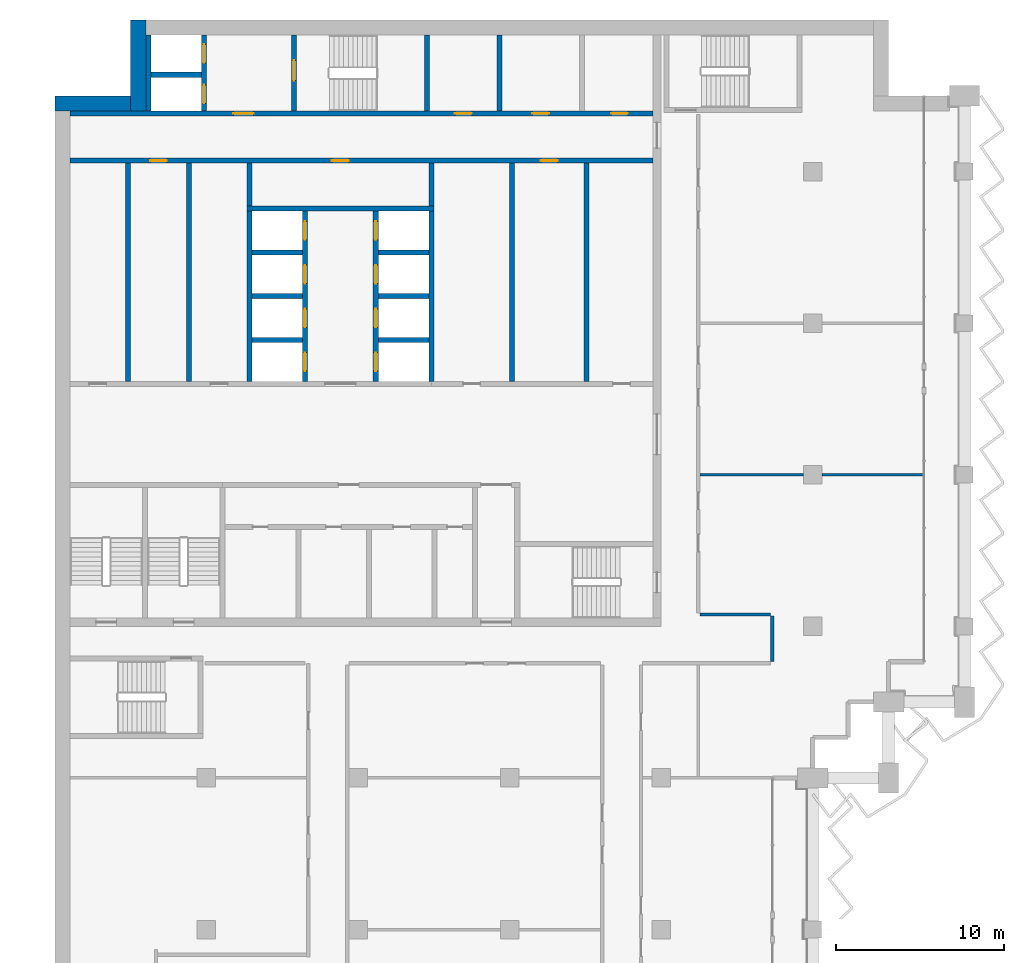
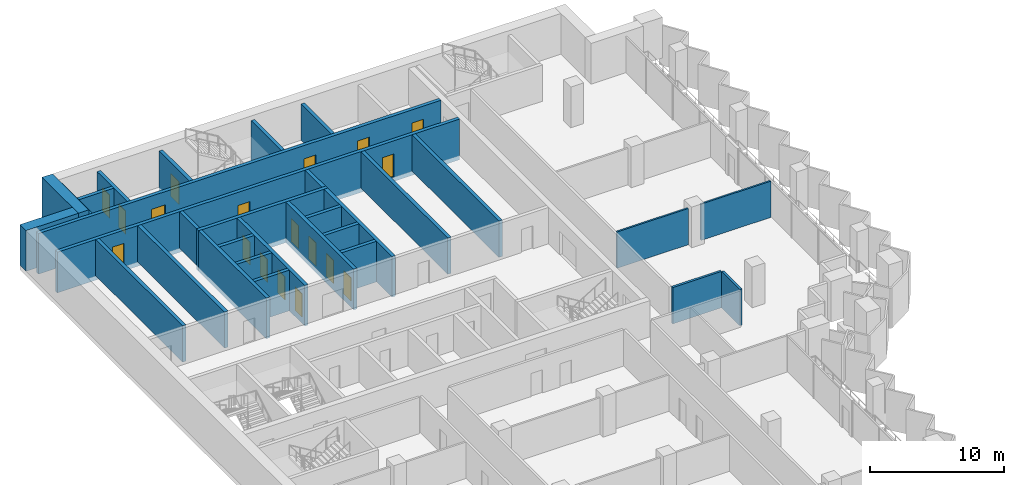
# One storey, part 10 of 17: 31 walls, 18 doors, 18 openings.
"""IFC4 building model written with IfcOpenShell, lengths in metres."""

from ifc_helpers import new_model, si_unit, direction, frame, frame_2d, origin, place, context, subcontext, project, spatial, rectangle, extrude, material, layer, layer_set, type_object, element, fill, save


model = new_model("IFC4")

# Units and contexts
model_context = context("Model", 3, precision=1e-05, world=origin(), true_north=direction((0.0, 1.0)))
body_context = subcontext(model_context, "Body", "Model", "MODEL_VIEW")
ifc_project = project(units=[si_unit("LENGTHUNIT", "METRE"), si_unit("AREAUNIT", "SQUARE_METRE"), si_unit("VOLUMEUNIT", "CUBIC_METRE"), si_unit("PLANEANGLEUNIT", "RADIAN"), si_unit("MASSUNIT", "GRAM", prefix="KILO")], contexts=[model_context])

# Site, building, storey
site_placement = place(None, origin())
site = spatial("IfcSite", under=ifc_project, at=site_placement, CompositionType="ELEMENT")
building_placement = place(site_placement, origin())
building = spatial("IfcBuilding", under=site, at=building_placement, Name="Hunhe Ridgeline Campus", CompositionType="ELEMENT")
storey_placement = place(building_placement, frame((0.0, 0.0, 190.199951171875)))
storey = spatial("IfcBuildingStorey", under=building, at=storey_placement, Name="L48", CompositionType="ELEMENT", Elevation=190.199951171875)

# Walls
ifc_material_1 = material(Name="Masonry concrete blockwork", Category="masonry")
ifc_layer_1 = layer(ifc_material_1, 0.300048828125)
ifc_layer_set_1 = layer_set([ifc_layer_1], Name="Core room partition 300 concrete block")
wall_type_1 = type_object("IfcWallType", Name="Core room partition 300 concrete block", PredefinedType="PARTITIONING", material=ifc_layer_set_1)
for number, where, z_axis, x_axis, name in (
    (1, (4.35009765625, 77.550048828125, 0.0), (0.0, 0.0, 1.0), (0.0, 1.0, 0.0), "L48 core partition 25"),
    (2, (7.949951171875, 77.550048828125, 0.0), (0.0, 0.0, 1.0), (0.0, 1.0, 0.0), "L48 core partition 28"),
):
    element("IfcWall", number, at=place(storey_placement, frame(where, z_axis=z_axis, x_axis=x_axis)), inside=storey, type_object=wall_type_1, Name=name, PredefinedType="PARTITIONING", context=body_context, shape_type="SweptSolid", body=[
        extrude(rectangle(XDim=12.949951171875, YDim=0.300048828125, at=frame_2d((6.47509765625, 0.0))), origin(), (0.0, 0.0, 1.0), 3.300048828125),
    ])
for number, where, z_axis, x_axis, name in (
    (3, (11.550048828125, 87.949951171875, 0.0), (0.0, 0.0, 1.0), (0.0, 1.0, 0.0), "L48 core partition 34"),
    (4, (22.35009765625, 87.949951171875, 0.0), (0.0, 0.0, 1.0), (0.0, 1.0, 0.0), "L48 core partition 43"),
):
    element("IfcWall", number, at=place(storey_placement, frame(where, z_axis=z_axis, x_axis=x_axis)), inside=storey, type_object=wall_type_1, Name=name, PredefinedType="PARTITIONING", context=body_context, shape_type="SweptSolid", body=[
        extrude(rectangle(XDim=2.550048828125, YDim=0.300048828125, at=frame_2d((1.27490234375, 0.0))), origin(), (0.0, 0.0, 1.0), 3.300048828125),
    ])
wall_1_placement = place(storey_placement, frame((26.39990234375, 93.60009765625, 0.0), z_axis=(0.0, 0.0, 1.0), x_axis=(0.0, 1.0, 0.0)))
element("IfcWall", 5, at=wall_1_placement, inside=storey, type_object=wall_type_1, Name="L48 core partition 47", PredefinedType="PARTITIONING", context=body_context, shape_type="SweptSolid", body=[
    extrude(rectangle(XDim=4.5, YDim=0.300048828125, at=frame_2d((2.25, 0.0))), origin(), (0.0, 0.0, 1.0), 3.300048828125),
])
for number, where, z_axis, x_axis, name in (
    (6, (27.14990234375, 77.550048828125, 0.0), (0.0, 0.0, 1.0), (0.0, 1.0, 0.0), "L48 core partition 48"),
    (7, (31.550048828125, 77.550048828125, 0.0), (0.0, 0.0, 1.0), (0.0, 1.0, 0.0), "L48 core partition 52"),
):
    element("IfcWall", number, at=place(storey_placement, frame(where, z_axis=z_axis, x_axis=x_axis)), inside=storey, type_object=wall_type_1, Name=name, PredefinedType="PARTITIONING", context=body_context, shape_type="SweptSolid", body=[
        extrude(rectangle(XDim=12.949951171875, YDim=0.300048828125, at=frame_2d((6.47509765625, 0.0))), origin(), (0.0, 0.0, 1.0), 3.300048828125),
    ])
ifc_material_2 = material(Name="Gypsum board partition")
ifc_layer_2 = layer(ifc_material_2, 0.199951171875)
ifc_layer_set_2 = layer_set([ifc_layer_2], Name="Corridor partition 200 gypsum board on steel studs")
wall_type_2 = type_object("IfcWallType", Name="Corridor partition 200 gypsum board on steel studs", PredefinedType="PARTITIONING", material=ifc_layer_set_2)
wall_2_placement = place(storey_placement, frame((38.300048828125, 63.699951171875, 0.0), z_axis=(0.0, 0.0, 1.0), x_axis=(1.0, 0.0, 0.0)))
element("IfcWall", 8, at=wall_2_placement, inside=storey, type_object=wall_type_2, Name="F-L48-wall-030", PredefinedType="PARTITIONING", context=body_context, shape_type="SweptSolid", body=[
    extrude(rectangle(XDim=4.199951171875, YDim=0.199951171875, at=frame_2d((2.10009765625, 0.0))), origin(), (0.0, 0.0, 1.0), 3.300048828125),
])
wall_3_placement = place(storey_placement, frame((42.60009765625, 63.60009765625, 0.0), z_axis=(0.0, 0.0, 1.0), x_axis=(0.0, -1.0, 0.0)))
element("IfcWall", 9, at=wall_3_placement, inside=storey, type_object=wall_type_2, Name="F-L48-wall-048", PredefinedType="PARTITIONING", context=body_context, shape_type="SweptSolid", body=[
    extrude(rectangle(XDim=2.7001953125, YDim=0.199951171875, at=frame_2d((1.35009765625, 0.0))), origin(), (0.0, 0.0, 1.0), 3.300048828125),
])

# Wall, openings, doors
ifc_material_3 = material(Name="Concrete C60", Category="concrete")
ifc_layer_3 = layer(ifc_material_3, 0.300048828125)
ifc_layer_set_3 = layer_set([ifc_layer_3], Name="Lobby wall 300 reinforced concrete C60")
wall_type_3 = type_object("IfcWallType", Name="Lobby wall 300 reinforced concrete C60", PredefinedType="SOLIDWALL", material=ifc_layer_set_3)
wall_4_placement = place(storey_placement, frame((0.89990234375, 90.64990234375, -0.39990234375), z_axis=(0.0, 0.0, 1.0), x_axis=(1.0, 0.0, 0.0)))
wall_4 = element("IfcWall", 10, at=wall_4_placement, inside=storey, type_object=wall_type_3, Name="L48 core wall 21", PredefinedType="SOLIDWALL", context=body_context, shape_type="SweptSolid", body=[
    extrude(rectangle(XDim=34.60009765625, YDim=0.300048828125, at=frame_2d((17.300048828125, 0.0))), origin(), (0.0, 0.0, 1.0), 3.699951171875),
])
opening_1_placement = place(wall_4_placement, frame((15.550048828125, 0.0, 0.39990234375)))
opening_1 = element("IfcOpeningElement", 11, at=opening_1_placement, cuts=wall_4, Name="Opening CD26", PredefinedType="OPENING", context=body_context, shape_type="SweptSolid", body=[
    extrude(rectangle(XDim=1.0, YDim=2.10009765625, at=frame_2d((0.5, 1.050048828125))), frame((0.0, 0.14990234375, 0.0), z_axis=(0.0, -1.0, 0.0), x_axis=(1.0, 0.0, 0.0)), (0.0, 0.0, 1.0), 0.300048828125),
])
opening_2_placement = place(wall_4_placement, frame((4.75, 0.0, 0.39990234375)))
opening_2 = element("IfcOpeningElement", 12, at=opening_2_placement, cuts=wall_4, Name="Opening CD40", PredefinedType="OPENING", context=body_context, shape_type="SweptSolid", body=[
    extrude(rectangle(XDim=1.0, YDim=2.10009765625, at=frame_2d((0.5, 1.050048828125))), frame((0.0, 0.14990234375, 0.0), z_axis=(0.0, -1.0, 0.0), x_axis=(1.0, 0.0, 0.0)), (0.0, 0.0, 1.0), 0.300048828125),
])
opening_3_placement = place(wall_4_placement, frame((27.949951171875, 0.0, 0.39990234375)))
opening_3 = element("IfcOpeningElement", 13, at=opening_3_placement, cuts=wall_4, Name="Opening CD33", PredefinedType="OPENING", context=body_context, shape_type="SweptSolid", body=[
    extrude(rectangle(XDim=1.0, YDim=2.10009765625, at=frame_2d((0.5, 1.050048828125))), frame((0.0, 0.14990234375, 0.0), z_axis=(0.0, -1.0, 0.0), x_axis=(1.0, 0.0, 0.0)), (0.0, 0.0, 1.0), 0.300048828125),
])
ifc_material_4 = material(Name="Solid core timber door leaf", Category="wood")
door_type_1 = type_object("IfcDoorType", Name="Timber door 1000x2100", OperationType="SINGLE_SWING_LEFT", PredefinedType="DOOR", material=ifc_material_4)
door_1_placement = place(opening_1_placement, frame((1.0, 0.0, 0.0), z_axis=(0.0, 0.0, 1.0), x_axis=(-1.0, 0.0, 0.0)))
door_1 = element("IfcDoor", 14, at=door_1_placement, inside=storey, type_object=door_type_1, Name="L48 door NR-0", OperationType="SINGLE_SWING_LEFT", OverallHeight=2.10009765625, OverallWidth=1.0, PredefinedType="DOOR", context=body_context, shape_type="SweptSolid", body=[
    extrude(rectangle(XDim=1.0, YDim=2.10009765625, at=frame_2d((0.5, 1.050048828125))), frame((0.0, 0.02490234375, 0.0), z_axis=(0.0, -1.0, 0.0), x_axis=(1.0, 0.0, 0.0)), (0.0, 0.0, 1.0), 0.050048828125),
])
fill(opening_1, door_1)
door_2_placement = place(opening_2_placement, frame((1.0, 0.0, 0.0), z_axis=(0.0, 0.0, 1.0), x_axis=(-1.0, 0.0, 0.0)))
door_2 = element("IfcDoor", 15, at=door_2_placement, inside=storey, type_object=door_type_1, Name="L48 door VD-LR1", OperationType="SINGLE_SWING_LEFT", OverallHeight=2.10009765625, OverallWidth=1.0, PredefinedType="DOOR", context=body_context, shape_type="SweptSolid", body=[
    extrude(rectangle(XDim=1.0, YDim=2.10009765625, at=frame_2d((0.5, 1.050048828125))), frame((0.0, 0.02490234375, 0.0), z_axis=(0.0, -1.0, 0.0), x_axis=(1.0, 0.0, 0.0)), (0.0, 0.0, 1.0), 0.050048828125),
])
fill(opening_2, door_2)
door_3_placement = place(opening_3_placement, frame((1.0, 0.0, 0.0), z_axis=(0.0, 0.0, 1.0), x_axis=(-1.0, 0.0, 0.0)))
door_3 = element("IfcDoor", 16, at=door_3_placement, inside=storey, type_object=door_type_1, Name="L48 door ES1", OperationType="SINGLE_SWING_LEFT", OverallHeight=2.10009765625, OverallWidth=1.0, PredefinedType="DOOR", context=body_context, shape_type="SweptSolid", body=[
    extrude(rectangle(XDim=1.0, YDim=2.10009765625, at=frame_2d((0.5, 1.050048828125))), frame((0.0, 0.02490234375, 0.0), z_axis=(0.0, -1.0, 0.0), x_axis=(1.0, 0.0, 0.0)), (0.0, 0.0, 1.0), 0.050048828125),
])
fill(opening_3, door_3)

# Walls
ifc_layer_4 = layer(ifc_material_2, 0.14990234375)
ifc_layer_set_4 = layer_set([ifc_layer_4], Name="Room partition 150 gypsum board on steel studs")
wall_type_4 = type_object("IfcWallType", Name="Room partition 150 gypsum board on steel studs", PredefinedType="PARTITIONING", material=ifc_layer_set_4)
wall_5_placement = place(storey_placement, frame((38.300048828125, 72.0, 0.0), z_axis=(0.0, 0.0, 1.0), x_axis=(1.0, 0.0, 0.0)))
element("IfcWall", 17, at=wall_5_placement, inside=storey, type_object=wall_type_4, Name="F-L48-wall-031", PredefinedType="PARTITIONING", context=body_context, shape_type="SweptSolid", body=[
    extrude(rectangle(XDim=6.14990234375, YDim=0.14990234375, at=frame_2d((3.074951171875, 0.0))), origin(), (0.0, 0.0, 1.0), 3.300048828125),
])
wall_6_placement = place(storey_placement, frame((45.550048828125, 72.0, 0.0), z_axis=(0.0, 0.0, 1.0), x_axis=(1.0, 0.0, 0.0)))
element("IfcWall", 18, at=wall_6_placement, inside=storey, type_object=wall_type_4, Name="F-L48-wall-032", PredefinedType="PARTITIONING", context=body_context, shape_type="SweptSolid", body=[
    extrude(rectangle(XDim=5.994873046875, YDim=0.14990234375, at=frame_2d((2.99755859375, 0.0))), origin(), (0.0, 0.0, 1.0), 3.300048828125),
])
ifc_layer_5 = layer(ifc_material_3, 0.300048828125)
ifc_layer_set_5 = layer_set([ifc_layer_5], Name="Shaft wall 300 reinforced concrete C60")
wall_type_5 = type_object("IfcWallType", Name="Shaft wall 300 reinforced concrete C60", PredefinedType="SOLIDWALL", material=ifc_layer_set_5)
for number, where, z_axis, x_axis, name in (
    (19, (11.699951171875, 80.0, -0.39990234375), (0.0, 0.0, 1.0), (1.0, 0.0, 0.0), "L48 core wall 14"),
    (20, (19.199951171875, 80.0, -0.39990234375), (0.0, 0.0, 1.0), (1.0, 0.0, 0.0), "L48 core wall 15"),
    (21, (11.699951171875, 82.60009765625, -0.39990234375), (0.0, 0.0, 1.0), (1.0, 0.0, 0.0), "L48 core wall 16"),
    (22, (19.199951171875, 82.60009765625, -0.39990234375), (0.0, 0.0, 1.0), (1.0, 0.0, 0.0), "L48 core wall 17"),
    (23, (11.699951171875, 85.199951171875, -0.39990234375), (0.0, 0.0, 1.0), (1.0, 0.0, 0.0), "L48 core wall 18"),
    (24, (19.199951171875, 85.199951171875, -0.39990234375), (0.0, 0.0, 1.0), (1.0, 0.0, 0.0), "L48 core wall 19"),
):
    element("IfcWall", number, at=place(storey_placement, frame(where, z_axis=z_axis, x_axis=x_axis)), inside=storey, type_object=wall_type_5, Name=name, PredefinedType="SOLIDWALL", context=body_context, shape_type="SweptSolid", body=[
        extrude(rectangle(XDim=3.0, YDim=0.300048828125, at=frame_2d((1.5, 0.0))), origin(), (0.0, 0.0, 1.0), 3.699951171875),
    ])
wall_7_placement = place(storey_placement, frame((11.39990234375, 87.800048828125, -0.39990234375), z_axis=(0.0, 0.0, 1.0), x_axis=(1.0, 0.0, 0.0)))
element("IfcWall", 25, at=wall_7_placement, inside=storey, type_object=wall_type_5, Name="L48 core wall 20", PredefinedType="SOLIDWALL", context=body_context, shape_type="SweptSolid", body=[
    extrude(rectangle(XDim=11.10009765625, YDim=0.300048828125, at=frame_2d((5.550048828125, 0.0))), origin(), (0.0, 0.0, 1.0), 3.699951171875),
])

# Wall, openings, doors
wall_8_placement = place(storey_placement, frame((0.89990234375, 93.449951171875, -0.39990234375), z_axis=(0.0, 0.0, 1.0), x_axis=(1.0, 0.0, 0.0)))
wall_8 = element("IfcWall", 26, at=wall_8_placement, inside=storey, type_object=wall_type_5, Name="L48 core wall 22", PredefinedType="SOLIDWALL", context=body_context, shape_type="SweptSolid", body=[
    extrude(rectangle(XDim=34.60009765625, YDim=0.300048828125, at=frame_2d((17.300048828125, 0.0))), origin(), (0.0, 0.0, 1.0), 3.699951171875),
])
opening_4_placement = place(wall_8_placement, frame((9.699951171875, 0.0, 0.39990234375)))
opening_4 = element("IfcOpeningElement", 27, at=opening_4_placement, cuts=wall_8, Name="Opening CD3", PredefinedType="OPENING", context=body_context, shape_type="SweptSolid", body=[
    extrude(rectangle(XDim=1.199951171875, YDim=2.10009765625, at=frame_2d((0.60009765625, 1.050048828125))), frame((0.0, 0.14990234375, 0.0), z_axis=(0.0, -1.0, 0.0), x_axis=(1.0, 0.0, 0.0)), (0.0, 0.0, 1.0), 0.300048828125),
])
opening_5_placement = place(wall_8_placement, frame((22.85009765625, 0.0, 0.39990234375)))
opening_5 = element("IfcOpeningElement", 28, at=opening_5_placement, cuts=wall_8, Name="Opening CD34", PredefinedType="OPENING", context=body_context, shape_type="SweptSolid", body=[
    extrude(rectangle(XDim=1.0, YDim=2.10009765625, at=frame_2d((0.5, 1.050048828125))), frame((0.0, 0.14990234375, 0.0), z_axis=(0.0, -1.0, 0.0), x_axis=(1.0, 0.0, 0.0)), (0.0, 0.0, 1.0), 0.300048828125),
])
opening_6_placement = place(wall_8_placement, frame((27.449951171875, 0.0, 0.39990234375)))
opening_6 = element("IfcOpeningElement", 29, at=opening_6_placement, cuts=wall_8, Name="Opening CD35", PredefinedType="OPENING", context=body_context, shape_type="SweptSolid", body=[
    extrude(rectangle(XDim=1.0, YDim=2.10009765625, at=frame_2d((0.5, 1.050048828125))), frame((0.0, 0.14990234375, 0.0), z_axis=(0.0, -1.0, 0.0), x_axis=(1.0, 0.0, 0.0)), (0.0, 0.0, 1.0), 0.300048828125),
])
opening_7_placement = place(wall_8_placement, frame((32.125, 0.0, 0.39990234375)))
opening_7 = element("IfcOpeningElement", 30, at=opening_7_placement, cuts=wall_8, Name="Opening CD36", PredefinedType="OPENING", context=body_context, shape_type="SweptSolid", body=[
    extrude(rectangle(XDim=1.0, YDim=2.10009765625, at=frame_2d((0.5, 1.050048828125))), frame((0.0, 0.14990234375, 0.0), z_axis=(0.0, -1.0, 0.0), x_axis=(1.0, 0.0, 0.0)), (0.0, 0.0, 1.0), 0.300048828125),
])
ifc_material_5 = material(Name="Hollow metal fire door leaf")
door_type_2 = type_object("IfcDoorType", Name="Lobby door 1200x2100 FD60", OperationType="SINGLE_SWING_LEFT", PredefinedType="DOOR", material=ifc_material_5)
door_4_placement = place(opening_4_placement, frame((1.199951171875, 0.0, 0.0), z_axis=(0.0, 0.0, 1.0), x_axis=(-1.0, 0.0, 0.0)))
door_4 = element("IfcDoor", 31, at=door_4_placement, inside=storey, type_object=door_type_2, Name="L48 door FF-C1", OperationType="SINGLE_SWING_RIGHT", OverallHeight=2.10009765625, OverallWidth=1.199951171875, PredefinedType="DOOR", context=body_context, shape_type="SweptSolid", body=[
    extrude(rectangle(XDim=1.199951171875, YDim=2.10009765625, at=frame_2d((0.60009765625, 1.050048828125))), frame((0.0, 0.02490234375, 0.0), z_axis=(0.0, -1.0, 0.0), x_axis=(1.0, 0.0, 0.0)), (0.0, 0.0, 1.0), 0.050048828125),
])
fill(opening_4, door_4)
door_5_placement = place(opening_5_placement, origin())
door_5 = element("IfcDoor", 32, at=door_5_placement, inside=storey, type_object=door_type_1, Name="L48 door NB0", OperationType="SINGLE_SWING_RIGHT", OverallHeight=2.10009765625, OverallWidth=1.0, PredefinedType="DOOR", context=body_context, shape_type="SweptSolid", body=[
    extrude(rectangle(XDim=1.0, YDim=2.10009765625, at=frame_2d((0.5, 1.050048828125))), frame((0.0, 0.02490234375, 0.0), z_axis=(0.0, -1.0, 0.0), x_axis=(1.0, 0.0, 0.0)), (0.0, 0.0, 1.0), 0.050048828125),
])
fill(opening_5, door_5)
door_6_placement = place(opening_6_placement, origin())
door_6 = element("IfcDoor", 33, at=door_6_placement, inside=storey, type_object=door_type_1, Name="L48 door NB1", OperationType="SINGLE_SWING_LEFT", OverallHeight=2.10009765625, OverallWidth=1.0, PredefinedType="DOOR", context=body_context, shape_type="SweptSolid", body=[
    extrude(rectangle(XDim=1.0, YDim=2.10009765625, at=frame_2d((0.5, 1.050048828125))), frame((0.0, 0.02490234375, 0.0), z_axis=(0.0, -1.0, 0.0), x_axis=(1.0, 0.0, 0.0)), (0.0, 0.0, 1.0), 0.050048828125),
])
fill(opening_6, door_6)
door_7_placement = place(opening_7_placement, origin())
door_7 = element("IfcDoor", 34, at=door_7_placement, inside=storey, type_object=door_type_1, Name="L48 door NB2", OperationType="SINGLE_SWING_RIGHT", OverallHeight=2.10009765625, OverallWidth=1.0, PredefinedType="DOOR", context=body_context, shape_type="SweptSolid", body=[
    extrude(rectangle(XDim=1.0, YDim=2.10009765625, at=frame_2d((0.5, 1.050048828125))), frame((0.0, 0.02490234375, 0.0), z_axis=(0.0, -1.0, 0.0), x_axis=(1.0, 0.0, 0.0)), (0.0, 0.0, 1.0), 0.050048828125),
])
fill(opening_7, door_7)

# Walls
wall_9_placement = place(storey_placement, frame((5.699951171875, 95.75, -0.39990234375), z_axis=(0.0, 0.0, 1.0), x_axis=(1.0, 0.0, 0.0)))
element("IfcWall", 35, at=wall_9_placement, inside=storey, type_object=wall_type_5, Name="L48 core wall 24", PredefinedType="SOLIDWALL", context=body_context, shape_type="SweptSolid", body=[
    extrude(rectangle(XDim=3.0, YDim=0.300048828125, at=frame_2d((1.5, 0.0))), origin(), (0.0, 0.0, 1.0), 3.699951171875),
])
wall_10_placement = place(storey_placement, frame((5.550048828125, 93.60009765625, -0.39990234375), z_axis=(0.0, 0.0, 1.0), x_axis=(0.0, 1.0, 0.0)))
element("IfcWall", 36, at=wall_10_placement, inside=storey, type_object=wall_type_5, Name="L48 core wall 27", PredefinedType="SOLIDWALL", context=body_context, shape_type="SweptSolid", body=[
    extrude(rectangle(XDim=4.5, YDim=0.300048828125, at=frame_2d((2.25, 0.0))), origin(), (0.0, 0.0, 1.0), 3.699951171875),
])

# Wall, openings, doors
wall_11_placement = place(storey_placement, frame((8.85009765625, 93.60009765625, -0.39990234375), z_axis=(0.0, 0.0, 1.0), x_axis=(0.0, 1.0, 0.0)))
wall_11 = element("IfcWall", 37, at=wall_11_placement, inside=storey, type_object=wall_type_5, Name="L48 core wall 31", PredefinedType="SOLIDWALL", context=body_context, shape_type="SweptSolid", body=[
    extrude(rectangle(XDim=4.5, YDim=0.300048828125, at=frame_2d((2.25, 0.0))), origin(), (0.0, 0.0, 1.0), 3.699951171875),
])
opening_8_placement = place(wall_11_placement, frame((0.449951171875, 0.0, 0.39990234375)))
opening_8 = element("IfcOpeningElement", 38, at=opening_8_placement, cuts=wall_11, Name="Opening LD-FF1", PredefinedType="OPENING", context=body_context, shape_type="SweptSolid", body=[
    extrude(rectangle(XDim=1.10009765625, YDim=2.10009765625, at=frame_2d((0.550048828125, 1.050048828125))), frame((0.0, 0.14990234375, 0.0), z_axis=(0.0, -1.0, 0.0), x_axis=(1.0, 0.0, 0.0)), (0.0, 0.0, 1.0), 0.300048828125),
])
opening_9_placement = place(wall_11_placement, frame((2.85009765625, 0.0, 0.39990234375)))
opening_9 = element("IfcOpeningElement", 39, at=opening_9_placement, cuts=wall_11, Name="Opening LD-FF2", PredefinedType="OPENING", context=body_context, shape_type="SweptSolid", body=[
    extrude(rectangle(XDim=1.10009765625, YDim=2.10009765625, at=frame_2d((0.550048828125, 1.050048828125))), frame((0.0, 0.14990234375, 0.0), z_axis=(0.0, -1.0, 0.0), x_axis=(1.0, 0.0, 0.0)), (0.0, 0.0, 1.0), 0.300048828125),
])
ifc_material_6 = material(Name="Stainless steel sliding leaves", Category="steel")
door_type_3 = type_object("IfcDoorType", Name="Landing door 1100x2100 FD120", OperationType="SLIDING_TO_LEFT", PredefinedType="DOOR", material=ifc_material_6)
door_8_placement = place(opening_8_placement, origin())
door_8 = element("IfcDoor", 40, at=door_8_placement, inside=storey, type_object=door_type_3, Name="L48 landing door FF1", OperationType="SLIDING_TO_RIGHT", OverallHeight=2.10009765625, OverallWidth=1.10009765625, PredefinedType="DOOR", context=body_context, shape_type="SweptSolid", body=[
    extrude(rectangle(XDim=1.10009765625, YDim=2.10009765625, at=frame_2d((0.550048828125, 1.050048828125))), frame((0.0, 0.02490234375, 0.0), z_axis=(0.0, -1.0, 0.0), x_axis=(1.0, 0.0, 0.0)), (0.0, 0.0, 1.0), 0.050048828125),
])
fill(opening_8, door_8)
door_9_placement = place(opening_9_placement, origin())
door_9 = element("IfcDoor", 41, at=door_9_placement, inside=storey, type_object=door_type_3, Name="L48 landing door FF2", OperationType="SLIDING_TO_LEFT", OverallHeight=2.10009765625, OverallWidth=1.10009765625, PredefinedType="DOOR", context=body_context, shape_type="SweptSolid", body=[
    extrude(rectangle(XDim=1.10009765625, YDim=2.10009765625, at=frame_2d((0.550048828125, 1.050048828125))), frame((0.0, 0.02490234375, 0.0), z_axis=(0.0, -1.0, 0.0), x_axis=(1.0, 0.0, 0.0)), (0.0, 0.0, 1.0), 0.050048828125),
])
fill(opening_9, door_9)

# Wall
wall_12_placement = place(storey_placement, frame((11.550048828125, 77.550048828125, -0.39990234375), z_axis=(0.0, 0.0, 1.0), x_axis=(0.0, 1.0, 0.0)))
element("IfcWall", 42, at=wall_12_placement, inside=storey, type_object=wall_type_5, Name="L48 core wall 33", PredefinedType="SOLIDWALL", context=body_context, shape_type="SweptSolid", body=[
    extrude(rectangle(XDim=10.099853515625, YDim=0.300048828125, at=frame_2d((5.0498046875, 0.0))), origin(), (0.0, 0.0, 1.0), 3.699951171875),
])

# Wall, openings, doors
wall_13_placement = place(storey_placement, frame((14.85009765625, 77.550048828125, -0.39990234375), z_axis=(0.0, 0.0, 1.0), x_axis=(0.0, 1.0, 0.0)))
wall_13 = element("IfcWall", 43, at=wall_13_placement, inside=storey, type_object=wall_type_5, Name="L48 core wall 37", PredefinedType="SOLIDWALL", context=body_context, shape_type="SweptSolid", body=[
    extrude(rectangle(XDim=10.099853515625, YDim=0.300048828125, at=frame_2d((5.0498046875, 0.0))), origin(), (0.0, 0.0, 1.0), 3.699951171875),
])
opening_10_placement = place(wall_13_placement, frame((0.60009765625, 0.0, 0.39990234375)))
opening_10 = element("IfcOpeningElement", 44, at=opening_10_placement, cuts=wall_13, Name="Opening LD-HR1", PredefinedType="OPENING", context=body_context, shape_type="SweptSolid", body=[
    extrude(rectangle(XDim=1.10009765625, YDim=2.10009765625, at=frame_2d((0.550048828125, 1.050048828125))), frame((0.0, 0.14990234375, 0.0), z_axis=(0.0, -1.0, 0.0), x_axis=(1.0, 0.0, 0.0)), (0.0, 0.0, 1.0), 0.300048828125),
])
opening_11_placement = place(wall_13_placement, frame((3.199951171875, 0.0, 0.39990234375)))
opening_11 = element("IfcOpeningElement", 45, at=opening_11_placement, cuts=wall_13, Name="Opening LD-HR2", PredefinedType="OPENING", context=body_context, shape_type="SweptSolid", body=[
    extrude(rectangle(XDim=1.10009765625, YDim=2.10009765625, at=frame_2d((0.550048828125, 1.050048828125))), frame((0.0, 0.14990234375, 0.0), z_axis=(0.0, -1.0, 0.0), x_axis=(1.0, 0.0, 0.0)), (0.0, 0.0, 1.0), 0.300048828125),
])
opening_12_placement = place(wall_13_placement, frame((5.800048828125, 0.0, 0.39990234375)))
opening_12 = element("IfcOpeningElement", 46, at=opening_12_placement, cuts=wall_13, Name="Opening LD-HR3", PredefinedType="OPENING", context=body_context, shape_type="SweptSolid", body=[
    extrude(rectangle(XDim=1.10009765625, YDim=2.10009765625, at=frame_2d((0.550048828125, 1.050048828125))), frame((0.0, 0.14990234375, 0.0), z_axis=(0.0, -1.0, 0.0), x_axis=(1.0, 0.0, 0.0)), (0.0, 0.0, 1.0), 0.300048828125),
])
opening_13_placement = place(wall_13_placement, frame((8.39990234375, 0.0, 0.39990234375)))
opening_13 = element("IfcOpeningElement", 47, at=opening_13_placement, cuts=wall_13, Name="Opening LD-HR4", PredefinedType="OPENING", context=body_context, shape_type="SweptSolid", body=[
    extrude(rectangle(XDim=1.10009765625, YDim=2.10009765625, at=frame_2d((0.550048828125, 1.050048828125))), frame((0.0, 0.14990234375, 0.0), z_axis=(0.0, -1.0, 0.0), x_axis=(1.0, 0.0, 0.0)), (0.0, 0.0, 1.0), 0.300048828125),
])
door_10_placement = place(opening_10_placement, origin())
door_10 = element("IfcDoor", 48, at=door_10_placement, inside=storey, type_object=door_type_3, Name="L48 landing door HR1", OperationType="SLIDING_TO_RIGHT", OverallHeight=2.10009765625, OverallWidth=1.10009765625, PredefinedType="DOOR", context=body_context, shape_type="SweptSolid", body=[
    extrude(rectangle(XDim=1.10009765625, YDim=2.10009765625, at=frame_2d((0.550048828125, 1.050048828125))), frame((0.0, 0.02490234375, 0.0), z_axis=(0.0, -1.0, 0.0), x_axis=(1.0, 0.0, 0.0)), (0.0, 0.0, 1.0), 0.050048828125),
])
fill(opening_10, door_10)
door_11_placement = place(opening_11_placement, origin())
door_11 = element("IfcDoor", 49, at=door_11_placement, inside=storey, type_object=door_type_3, Name="L48 landing door HR2", OperationType="SLIDING_TO_LEFT", OverallHeight=2.10009765625, OverallWidth=1.10009765625, PredefinedType="DOOR", context=body_context, shape_type="SweptSolid", body=[
    extrude(rectangle(XDim=1.10009765625, YDim=2.10009765625, at=frame_2d((0.550048828125, 1.050048828125))), frame((0.0, 0.02490234375, 0.0), z_axis=(0.0, -1.0, 0.0), x_axis=(1.0, 0.0, 0.0)), (0.0, 0.0, 1.0), 0.050048828125),
])
fill(opening_11, door_11)
door_12_placement = place(opening_12_placement, origin())
door_12 = element("IfcDoor", 50, at=door_12_placement, inside=storey, type_object=door_type_3, Name="L48 landing door HR3", OperationType="SLIDING_TO_RIGHT", OverallHeight=2.10009765625, OverallWidth=1.10009765625, PredefinedType="DOOR", context=body_context, shape_type="SweptSolid", body=[
    extrude(rectangle(XDim=1.10009765625, YDim=2.10009765625, at=frame_2d((0.550048828125, 1.050048828125))), frame((0.0, 0.02490234375, 0.0), z_axis=(0.0, -1.0, 0.0), x_axis=(1.0, 0.0, 0.0)), (0.0, 0.0, 1.0), 0.050048828125),
])
fill(opening_12, door_12)
door_13_placement = place(opening_13_placement, origin())
door_13 = element("IfcDoor", 51, at=door_13_placement, inside=storey, type_object=door_type_3, Name="L48 landing door HR4", OperationType="SLIDING_TO_LEFT", OverallHeight=2.10009765625, OverallWidth=1.10009765625, PredefinedType="DOOR", context=body_context, shape_type="SweptSolid", body=[
    extrude(rectangle(XDim=1.10009765625, YDim=2.10009765625, at=frame_2d((0.550048828125, 1.050048828125))), frame((0.0, 0.02490234375, 0.0), z_axis=(0.0, -1.0, 0.0), x_axis=(1.0, 0.0, 0.0)), (0.0, 0.0, 1.0), 0.050048828125),
])
fill(opening_13, door_13)

wall_14_placement = place(storey_placement, frame((19.050048828125, 77.550048828125, -0.39990234375), z_axis=(0.0, 0.0, 1.0), x_axis=(0.0, 1.0, 0.0)))
wall_14 = element("IfcWall", 52, at=wall_14_placement, inside=storey, type_object=wall_type_5, Name="L48 core wall 39", PredefinedType="SOLIDWALL", context=body_context, shape_type="SweptSolid", body=[
    extrude(rectangle(XDim=10.099853515625, YDim=0.300048828125, at=frame_2d((5.0498046875, 0.0))), origin(), (0.0, 0.0, 1.0), 3.699951171875),
])
opening_14_placement = place(wall_14_placement, frame((0.60009765625, 0.0, 0.39990234375)))
opening_14 = element("IfcOpeningElement", 53, at=opening_14_placement, cuts=wall_14, Name="Opening LD-HR5", PredefinedType="OPENING", context=body_context, shape_type="SweptSolid", body=[
    extrude(rectangle(XDim=1.10009765625, YDim=2.10009765625, at=frame_2d((0.550048828125, 1.050048828125))), frame((0.0, 0.14990234375, 0.0), z_axis=(0.0, -1.0, 0.0), x_axis=(1.0, 0.0, 0.0)), (0.0, 0.0, 1.0), 0.300048828125),
])
opening_15_placement = place(wall_14_placement, frame((3.199951171875, 0.0, 0.39990234375)))
opening_15 = element("IfcOpeningElement", 54, at=opening_15_placement, cuts=wall_14, Name="Opening LD-HR6", PredefinedType="OPENING", context=body_context, shape_type="SweptSolid", body=[
    extrude(rectangle(XDim=1.10009765625, YDim=2.10009765625, at=frame_2d((0.550048828125, 1.050048828125))), frame((0.0, 0.14990234375, 0.0), z_axis=(0.0, -1.0, 0.0), x_axis=(1.0, 0.0, 0.0)), (0.0, 0.0, 1.0), 0.300048828125),
])
opening_16_placement = place(wall_14_placement, frame((5.800048828125, 0.0, 0.39990234375)))
opening_16 = element("IfcOpeningElement", 55, at=opening_16_placement, cuts=wall_14, Name="Opening LD-HR7", PredefinedType="OPENING", context=body_context, shape_type="SweptSolid", body=[
    extrude(rectangle(XDim=1.10009765625, YDim=2.10009765625, at=frame_2d((0.550048828125, 1.050048828125))), frame((0.0, 0.14990234375, 0.0), z_axis=(0.0, -1.0, 0.0), x_axis=(1.0, 0.0, 0.0)), (0.0, 0.0, 1.0), 0.300048828125),
])
opening_17_placement = place(wall_14_placement, frame((8.39990234375, 0.0, 0.39990234375)))
opening_17 = element("IfcOpeningElement", 56, at=opening_17_placement, cuts=wall_14, Name="Opening LD-HR8", PredefinedType="OPENING", context=body_context, shape_type="SweptSolid", body=[
    extrude(rectangle(XDim=1.10009765625, YDim=2.10009765625, at=frame_2d((0.550048828125, 1.050048828125))), frame((0.0, 0.14990234375, 0.0), z_axis=(0.0, -1.0, 0.0), x_axis=(1.0, 0.0, 0.0)), (0.0, 0.0, 1.0), 0.300048828125),
])
door_14_placement = place(opening_14_placement, origin())
door_14 = element("IfcDoor", 57, at=door_14_placement, inside=storey, type_object=door_type_3, Name="L48 landing door HR5", OperationType="SLIDING_TO_RIGHT", OverallHeight=2.10009765625, OverallWidth=1.10009765625, PredefinedType="DOOR", context=body_context, shape_type="SweptSolid", body=[
    extrude(rectangle(XDim=1.10009765625, YDim=2.10009765625, at=frame_2d((0.550048828125, 1.050048828125))), frame((0.0, 0.02490234375, 0.0), z_axis=(0.0, -1.0, 0.0), x_axis=(1.0, 0.0, 0.0)), (0.0, 0.0, 1.0), 0.050048828125),
])
fill(opening_14, door_14)
door_15_placement = place(opening_15_placement, origin())
door_15 = element("IfcDoor", 58, at=door_15_placement, inside=storey, type_object=door_type_3, Name="L48 landing door HR6", OperationType="SLIDING_TO_LEFT", OverallHeight=2.10009765625, OverallWidth=1.10009765625, PredefinedType="DOOR", context=body_context, shape_type="SweptSolid", body=[
    extrude(rectangle(XDim=1.10009765625, YDim=2.10009765625, at=frame_2d((0.550048828125, 1.050048828125))), frame((0.0, 0.02490234375, 0.0), z_axis=(0.0, -1.0, 0.0), x_axis=(1.0, 0.0, 0.0)), (0.0, 0.0, 1.0), 0.050048828125),
])
fill(opening_15, door_15)
door_16_placement = place(opening_16_placement, origin())
door_16 = element("IfcDoor", 59, at=door_16_placement, inside=storey, type_object=door_type_3, Name="L48 landing door HR7", OperationType="SLIDING_TO_RIGHT", OverallHeight=2.10009765625, OverallWidth=1.10009765625, PredefinedType="DOOR", context=body_context, shape_type="SweptSolid", body=[
    extrude(rectangle(XDim=1.10009765625, YDim=2.10009765625, at=frame_2d((0.550048828125, 1.050048828125))), frame((0.0, 0.02490234375, 0.0), z_axis=(0.0, -1.0, 0.0), x_axis=(1.0, 0.0, 0.0)), (0.0, 0.0, 1.0), 0.050048828125),
])
fill(opening_16, door_16)
door_17_placement = place(opening_17_placement, origin())
door_17 = element("IfcDoor", 60, at=door_17_placement, inside=storey, type_object=door_type_3, Name="L48 landing door HR8", OperationType="SLIDING_TO_LEFT", OverallHeight=2.10009765625, OverallWidth=1.10009765625, PredefinedType="DOOR", context=body_context, shape_type="SweptSolid", body=[
    extrude(rectangle(XDim=1.10009765625, YDim=2.10009765625, at=frame_2d((0.550048828125, 1.050048828125))), frame((0.0, 0.02490234375, 0.0), z_axis=(0.0, -1.0, 0.0), x_axis=(1.0, 0.0, 0.0)), (0.0, 0.0, 1.0), 0.050048828125),
])
fill(opening_17, door_17)

# Walls
wall_15_placement = place(storey_placement, frame((22.35009765625, 77.550048828125, -0.39990234375), z_axis=(0.0, 0.0, 1.0), x_axis=(0.0, 1.0, 0.0)))
element("IfcWall", 61, at=wall_15_placement, inside=storey, type_object=wall_type_5, Name="L48 core wall 42", PredefinedType="SOLIDWALL", context=body_context, shape_type="SweptSolid", body=[
    extrude(rectangle(XDim=10.099853515625, YDim=0.300048828125, at=frame_2d((5.0498046875, 0.0))), origin(), (0.0, 0.0, 1.0), 3.699951171875),
])
ifc_layer_6 = layer(ifc_material_3, 0.89990234375)
ifc_layer_set_6 = layer_set([ifc_layer_6], Name="Spine wall 900 Concrete C60")
wall_type_6 = type_object("IfcWallType", Name="Spine wall 900 Concrete C60", PredefinedType="SHEAR", material=ifc_layer_set_6)
for number, where, z_axis, x_axis, name in (
    (62, (4.949951171875, 99.0, 0.0), (0.0, 0.0, 1.0), (0.0, -1.0, 0.0), "Spine wall SW3-5 L48"),
    (63, (5.400146484375, 94.050048828125, 0.0), (0.0, 0.0, 1.0), (-1.0, 0.0, 0.0), "Spine wall SW3-6 L48"),
):
    element("IfcWall", number, at=place(storey_placement, frame(where, z_axis=z_axis, x_axis=x_axis)), inside=storey, type_object=wall_type_6, Name=name, PredefinedType="SHEAR", context=body_context, shape_type="SweptSolid", body=[
        extrude(rectangle(XDim=5.400146484375, YDim=0.89990234375, at=frame_2d((2.7001953125, 0.0))), origin(), (0.0, 0.0, 1.0), 3.699951171875),
    ])

# Wall, opening, door
ifc_layer_7 = layer(ifc_material_3, 0.300048828125)
ifc_layer_set_7 = layer_set([ifc_layer_7], Name="Stair wall 300 reinforced concrete C60")
wall_type_7 = type_object("IfcWallType", Name="Stair wall 300 reinforced concrete C60", PredefinedType="SOLIDWALL", material=ifc_layer_set_7)
wall_16_placement = place(storey_placement, frame((14.199951171875, 93.60009765625, -0.39990234375), z_axis=(0.0, 0.0, 1.0), x_axis=(0.0, 1.0, 0.0)))
wall_16 = element("IfcWall", 64, at=wall_16_placement, inside=storey, type_object=wall_type_7, Name="L48 core wall 35", PredefinedType="SOLIDWALL", context=body_context, shape_type="SweptSolid", body=[
    extrude(rectangle(XDim=4.5, YDim=0.300048828125, at=frame_2d((2.25, 0.0))), origin(), (0.0, 0.0, 1.0), 3.699951171875),
])
opening_18_placement = place(wall_16_placement, frame((1.800048828125, 0.0, 0.39990234375)))
opening_18 = element("IfcOpeningElement", 65, at=opening_18_placement, cuts=wall_16, Name="Opening CD16", PredefinedType="OPENING", context=body_context, shape_type="SweptSolid", body=[
    extrude(rectangle(XDim=1.199951171875, YDim=2.10009765625, at=frame_2d((0.60009765625, 1.050048828125))), frame((0.0, 0.14990234375, 0.0), z_axis=(0.0, -1.0, 0.0), x_axis=(1.0, 0.0, 0.0)), (0.0, 0.0, 1.0), 0.300048828125),
])
door_type_4 = type_object("IfcDoorType", Name="Stair door 1200x2100 FD60", OperationType="SINGLE_SWING_LEFT", PredefinedType="DOOR", material=ifc_material_5)
door_18_placement = place(opening_18_placement, origin())
door_18 = element("IfcDoor", 66, at=door_18_placement, inside=storey, type_object=door_type_4, Name="L48 door S1-FF", OperationType="SINGLE_SWING_RIGHT", OverallHeight=2.10009765625, OverallWidth=1.199951171875, PredefinedType="DOOR", context=body_context, shape_type="SweptSolid", body=[
    extrude(rectangle(XDim=1.199951171875, YDim=2.10009765625, at=frame_2d((0.60009765625, 1.050048828125))), frame((0.0, 0.02490234375, 0.0), z_axis=(0.0, -1.0, 0.0), x_axis=(1.0, 0.0, 0.0)), (0.0, 0.0, 1.0), 0.050048828125),
])
fill(opening_18, door_18)

# Wall
wall_17_placement = place(storey_placement, frame((22.10009765625, 93.60009765625, -0.39990234375), z_axis=(0.0, 0.0, 1.0), x_axis=(0.0, 1.0, 0.0)))
element("IfcWall", 67, at=wall_17_placement, inside=storey, type_object=wall_type_7, Name="L48 core wall 41", PredefinedType="SOLIDWALL", context=body_context, shape_type="SweptSolid", body=[
    extrude(rectangle(XDim=4.5, YDim=0.300048828125, at=frame_2d((2.25, 0.0))), origin(), (0.0, 0.0, 1.0), 3.699951171875),
])

save(model, "model.ifc")
